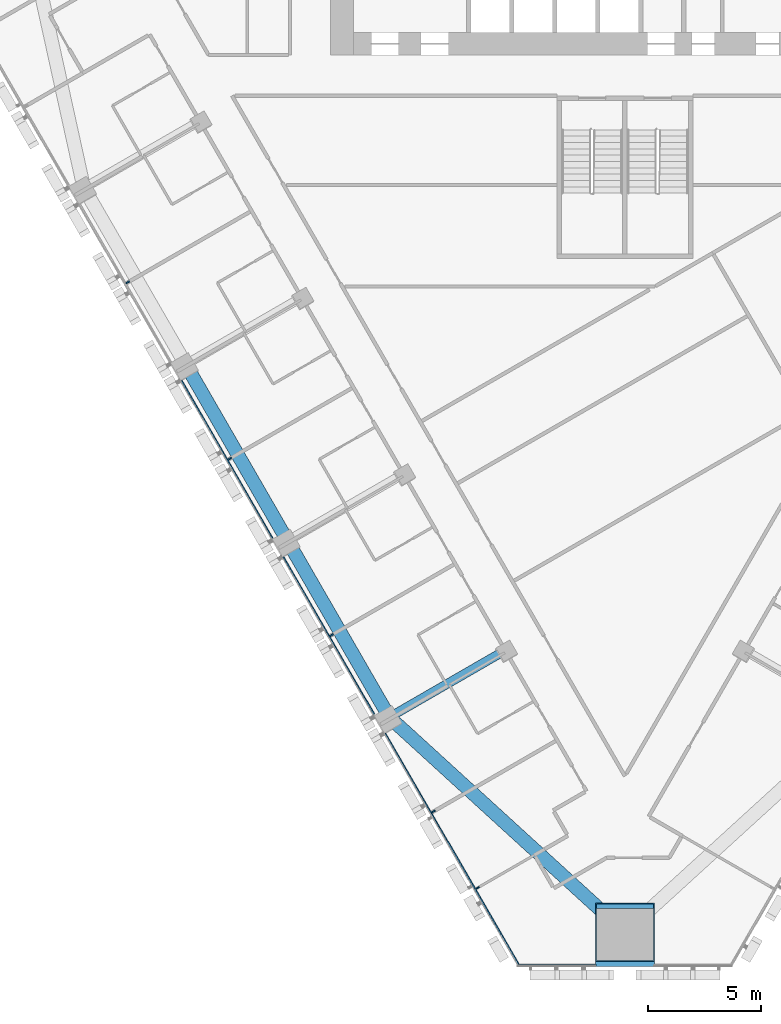
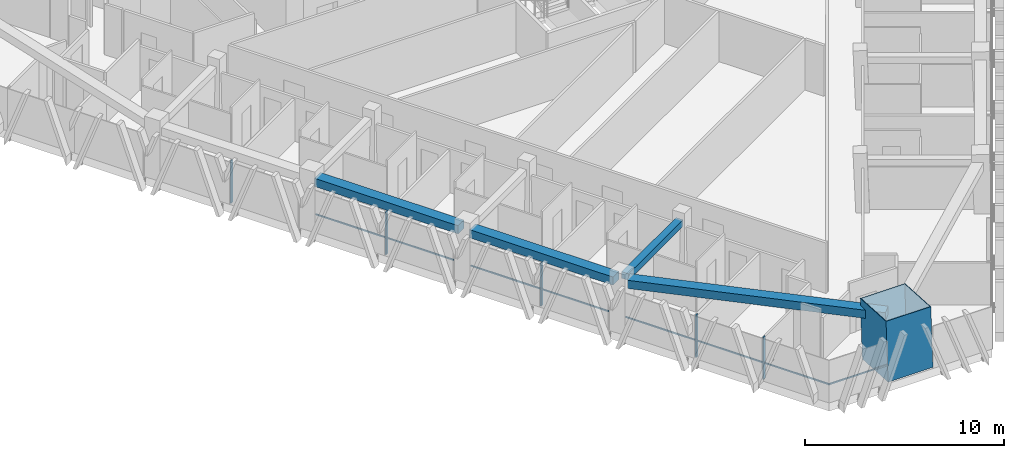
# One storey, part 2 of 17: 10 members, 4 beams, 2 elements without a shape of their own.
"""IFC4 building model written with IfcOpenShell, lengths in metres."""

from ifc_helpers import new_model, si_unit, direction, frame, origin, origin_2d, place, context, subcontext, project, spatial, rectangle, hollow_rectangle, extrude, material, layer, layer_set, material_profile, profile_set, type_object, element, aggregate, save


model = new_model("IFC4")

# Units and contexts
model_context = context("Model", 3, precision=1e-05, world=origin(), true_north=direction((0.0, 1.0)))
body_context = subcontext(model_context, "Body", "Model", "MODEL_VIEW")
ifc_project = project(units=[si_unit("LENGTHUNIT", "METRE"), si_unit("AREAUNIT", "SQUARE_METRE"), si_unit("VOLUMEUNIT", "CUBIC_METRE"), si_unit("PLANEANGLEUNIT", "RADIAN"), si_unit("MASSUNIT", "GRAM", prefix="KILO")], contexts=[model_context])

# Site, building, storey
site_placement = place(None, origin())
site = spatial("IfcSite", under=ifc_project, at=site_placement, CompositionType="ELEMENT")
building_placement = place(site_placement, origin())
building = spatial("IfcBuilding", under=site, at=building_placement, Name="Altiplano Prism Tower", CompositionType="ELEMENT")
storey_placement = place(building_placement, frame((0.0, 0.0, 52.199951171875)))
storey = spatial("IfcBuildingStorey", under=building, at=storey_placement, Name="L12", CompositionType="ELEMENT", Elevation=52.199951171875)

# Curtain wall, members
ifc_material_1 = material(Name="Aluminium and glass", Category="aluminium")
ifc_layer = layer(ifc_material_1, 0.280029296875)
ifc_layer_set = layer_set([ifc_layer], Name="Aluminium and glass")
curtain_wall_type = type_object("IfcCurtainWallType", Name="CW1 typical co-living unitised curtain wall", PredefinedType="NOTDEFINED", material=ifc_layer_set)
curtain_wall_1_placement = place(storey_placement, origin())
curtain_wall_1 = element("IfcCurtainWall", 1, at=curtain_wall_1_placement, inside=storey, type_object=curtain_wall_type, Name="CW1 curtain wall south-west face L12", PredefinedType="NOTDEFINED")
ifc_material_2 = material(Name="Aluminium", Category="aluminium")
ifc_material_profile_1 = material_profile(ifc_material_2, rectangle(XDim=0.179931640625, YDim=0.06494140625, at=origin_2d()), Name="CW1 mullion 65 x 180")
ifc_profile_set_1 = profile_set([ifc_material_profile_1], Name="Aluminium")
member_type_1 = type_object("IfcMemberType", Name="CW1 mullion 65 x 180", PredefinedType="MULLION", material=ifc_profile_set_1)
member_1_placement = place(storey_placement, frame((63.037841796875, 82.359130859375, 0.0), z_axis=(0.0, 0.0, 1.0), x_axis=(0.866025409151, 0.499999990704, 0.0)))
member_1 = element("IfcMember", 2, at=member_1_placement, type_object=member_type_1, Name="CW1 mullion", PredefinedType="MULLION", context=body_context, shape_type="SweptSolid", body=[
    extrude(rectangle(XDim=0.179931640625, YDim=0.06494140625, at=origin_2d()), origin(), (0.0, 0.0, 1.0), 2.60009765625),
])
member_2_placement = place(storey_placement, frame((67.537841796875, 74.56494140625, 0.0), z_axis=(0.0, 0.0, 1.0), x_axis=(0.866025409151, 0.499999990704, 0.0)))
member_2 = element("IfcMember", 3, at=member_2_placement, type_object=member_type_1, Name="CW1 mullion", PredefinedType="MULLION", context=body_context, shape_type="SweptSolid", body=[
    extrude(rectangle(XDim=0.179931640625, YDim=0.06494140625, at=origin_2d()), origin(), (0.0, 0.0, 1.0), 2.60009765625),
])
member_3_placement = place(storey_placement, frame((72.037841796875, 66.7705078125, 0.0), z_axis=(0.0, 0.0, 1.0), x_axis=(0.866025409151, 0.499999990704, 0.0)))
member_3 = element("IfcMember", 4, at=member_3_placement, type_object=member_type_1, Name="CW1 mullion", PredefinedType="MULLION", context=body_context, shape_type="SweptSolid", body=[
    extrude(rectangle(XDim=0.179931640625, YDim=0.06494140625, at=origin_2d()), origin(), (0.0, 0.0, 1.0), 2.60009765625),
])
member_4_placement = place(storey_placement, frame((76.537841796875, 58.976318359375, 0.0), z_axis=(0.0, 0.0, 1.0), x_axis=(0.866025409151, 0.499999990704, 0.0)))
member_4 = element("IfcMember", 5, at=member_4_placement, type_object=member_type_1, Name="CW1 mullion", PredefinedType="MULLION", context=body_context, shape_type="SweptSolid", body=[
    extrude(rectangle(XDim=0.179931640625, YDim=0.06494140625, at=origin_2d()), origin(), (0.0, 0.0, 1.0), 2.60009765625),
])
member_5_placement = place(storey_placement, frame((78.48583984375, 55.602294921875, 0.0), z_axis=(0.0, 0.0, 1.0), x_axis=(0.866025409151, 0.499999990704, 0.0)))
member_5 = element("IfcMember", 6, at=member_5_placement, type_object=member_type_1, Name="CW1 mullion", PredefinedType="MULLION", context=body_context, shape_type="SweptSolid", body=[
    extrude(rectangle(XDim=0.179931640625, YDim=0.06494140625, at=origin_2d()), origin(), (0.0, 0.0, 1.0), 2.60009765625),
])
ifc_material_profile_2 = material_profile(ifc_material_2, rectangle(XDim=0.06005859375, YDim=0.080078125, at=origin_2d()), Name="CW1 transom 80 x 60")
ifc_profile_set_2 = profile_set([ifc_material_profile_2], Name="Aluminium")
member_type_2 = type_object("IfcMemberType", Name="CW1 transom 80 x 60", PredefinedType="USERDEFINED", material=ifc_profile_set_2)
member_6_placement = place(storey_placement, frame((65.409423828125, 78.01171875, 1.10009765625), z_axis=(0.499976305243, -0.866039083527, 0.0), x_axis=(0.866039083527, 0.499976305243, 0.0)))
member_6 = element("IfcMember", 7, at=member_6_placement, type_object=member_type_2, Name="CW1 transom", ObjectType="TRANSOM", PredefinedType="USERDEFINED", context=body_context, shape_type="SweptSolid", body=[
    extrude(rectangle(XDim=0.06005859375, YDim=0.080078125, at=origin_2d()), origin(), (0.0, 0.0, 1.0), 8.02001953125),
])
member_7_placement = place(storey_placement, frame((69.909423828125, 70.21728515625, 1.10009765625), z_axis=(0.499989486807, -0.866031473494, 0.0), x_axis=(0.866031473494, 0.499989486807, 0.0)))
member_7 = element("IfcMember", 8, at=member_7_placement, type_object=member_type_2, Name="CW1 transom", ObjectType="TRANSOM", PredefinedType="USERDEFINED", context=body_context, shape_type="SweptSolid", body=[
    extrude(rectangle(XDim=0.06005859375, YDim=0.080078125, at=origin_2d()), origin(), (0.0, 0.0, 1.0), 8.019775390625),
])
member_8_placement = place(storey_placement, frame((74.409423828125, 62.423095703125, 1.10009765625), z_axis=(0.499999679801, -0.866025588651, 0.0), x_axis=(0.866025588651, 0.499999679801, 0.0)))
member_8 = element("IfcMember", 9, at=member_8_placement, type_object=member_type_2, Name="CW1 transom", ObjectType="TRANSOM", PredefinedType="USERDEFINED", context=body_context, shape_type="SweptSolid", body=[
    extrude(rectangle(XDim=0.06005859375, YDim=0.080078125, at=origin_2d()), origin(), (0.0, 0.0, 1.0), 11.84130859375),
])
aggregate(curtain_wall_1, [member_1, member_2, member_6, member_3, member_7, member_4, member_5, member_8])

# Curtain wall, member
curtain_wall_2_placement = place(storey_placement, origin())
curtain_wall_2 = element("IfcCurtainWall", 10, at=curtain_wall_2_placement, inside=storey, type_object=curtain_wall_type, Name="CW1 curtain wall south chamfer L12", PredefinedType="NOTDEFINED")
member_9_placement = place(storey_placement, frame((80.269287109375, 52.203369140625, 1.10009765625), z_axis=(1.0, 0.0, 0.0), x_axis=(0.0, 1.0, 0.0)))
member_9 = element("IfcMember", 11, at=member_9_placement, type_object=member_type_2, Name="CW1 transom", ObjectType="TRANSOM", PredefinedType="USERDEFINED", context=body_context, shape_type="SweptSolid", body=[
    extrude(rectangle(XDim=0.06005859375, YDim=0.080078125, at=origin_2d()), origin(), (0.0, 0.0, 1.0), 3.4306640625),
])
aggregate(curtain_wall_2, [member_9])

# Beams
ifc_material_3 = material(Name="Concrete C60/75", Category="concrete")
ifc_material_profile_3 = material_profile(ifc_material_3, rectangle(XDim=0.60009765625, YDim=0.5, at=origin_2d()), Name="Edge beam 600x500")
ifc_profile_set_3 = profile_set([ifc_material_profile_3], Name="Concrete C60/75")
beam_type_1 = type_object("IfcBeamType", Name="Edge beam 600x500", PredefinedType="SPANDREL", material=ifc_profile_set_3)
for number, where, z_axis, x_axis, name in (
    (12, (65.758056640625, 78.444580078125, 2.85009765625), (0.499992746786, -0.866029591389, 0.0), (0.866029591389, 0.499992746786, 0.0), "Edge beam P12-P13 L13"),
    (13, (70.258056640625, 70.650390625, 2.85009765625), (0.499992746786, -0.866029591389, 0.0), (0.866029591389, 0.499992746786, 0.0), "Edge beam P13-P14 L13"),
):
    element("IfcBeam", number, at=place(storey_placement, frame(where, z_axis=z_axis, x_axis=x_axis)), inside=storey, type_object=beam_type_1, Name=name, PredefinedType="SPANDREL", context=body_context, shape_type="SweptSolid", body=[
        extrude(rectangle(XDim=0.60009765625, YDim=0.5, at=origin_2d()), origin(), (0.0, 0.0, 1.0), 8.33984375),
    ])
beam_1_placement = place(storey_placement, frame((74.853271484375, 62.904541015625, 2.85009765625), z_axis=(0.738616746643, -0.674125582943, 0.0), x_axis=(0.674125582943, 0.738616746643, 0.0)))
element("IfcBeam", 14, at=beam_1_placement, inside=storey, type_object=beam_type_1, Name="Edge beam P14-M1 L13", PredefinedType="SPANDREL", context=body_context, shape_type="SweptSolid", body=[
    extrude(rectangle(XDim=0.60009765625, YDim=0.5, at=origin_2d()), origin(), (0.0, 0.0, 1.0), 13.28759765625),
])

# Member
ifc_material_4 = material(Name="Steel S460", Category="steel")
ifc_material_profile_4 = material_profile(ifc_material_4, hollow_rectangle(XDim=2.60009765625, YDim=2.60009765625, WallThickness=0.0400390625, at=origin_2d()), Name="Mega column tube 2600")
ifc_profile_set_4 = profile_set([ifc_material_profile_4], Name="Steel S460")
member_type_3 = type_object("IfcMemberType", Name="Mega column tube 2600", PredefinedType="POST", material=ifc_profile_set_4)
member_10_placement = place(storey_placement, frame((85.0, 53.433349609375, 0.0), z_axis=(0.0, 0.058356907999, 0.998295783467), x_axis=(-1.0, 0.0, 0.0)))
element("IfcMember", 15, at=member_10_placement, inside=storey, type_object=member_type_3, Name="Mega column tube M1 L12", PredefinedType="POST", context=body_context, shape_type="SweptSolid", body=[
    extrude(hollow_rectangle(XDim=2.60009765625, YDim=2.60009765625, WallThickness=0.0400390625, at=origin_2d()), origin(), (0.0, 0.0, 1.0), 3.606201171875),
])

# Beam
ifc_material_profile_5 = material_profile(ifc_material_3, rectangle(XDim=0.39990234375, YDim=0.39990234375, at=origin_2d()), Name="Tie beam 400x400")
ifc_profile_set_5 = profile_set([ifc_material_profile_5], Name="Concrete C60/75")
beam_type_2 = type_object("IfcBeamType", Name="Tie beam 400x400", PredefinedType="BEAM", material=ifc_profile_set_5)
beam_2_placement = place(storey_placement, frame((79.63330078125, 66.052001953125, 2.900146484375), z_axis=(-0.866031549307, -0.499989355492, 0.0), x_axis=(0.499989355492, -0.866031549307, 0.0)))
element("IfcBeam", 16, at=beam_2_placement, inside=storey, type_object=beam_type_2, Name="Tie beam I14 L13", PredefinedType="BEAM", context=body_context, shape_type="SweptSolid", body=[
    extrude(rectangle(XDim=0.39990234375, YDim=0.39990234375, at=origin_2d()), origin(), (0.0, 0.0, 1.0), 5.48974609375),
])

save(model, "model.ifc")
